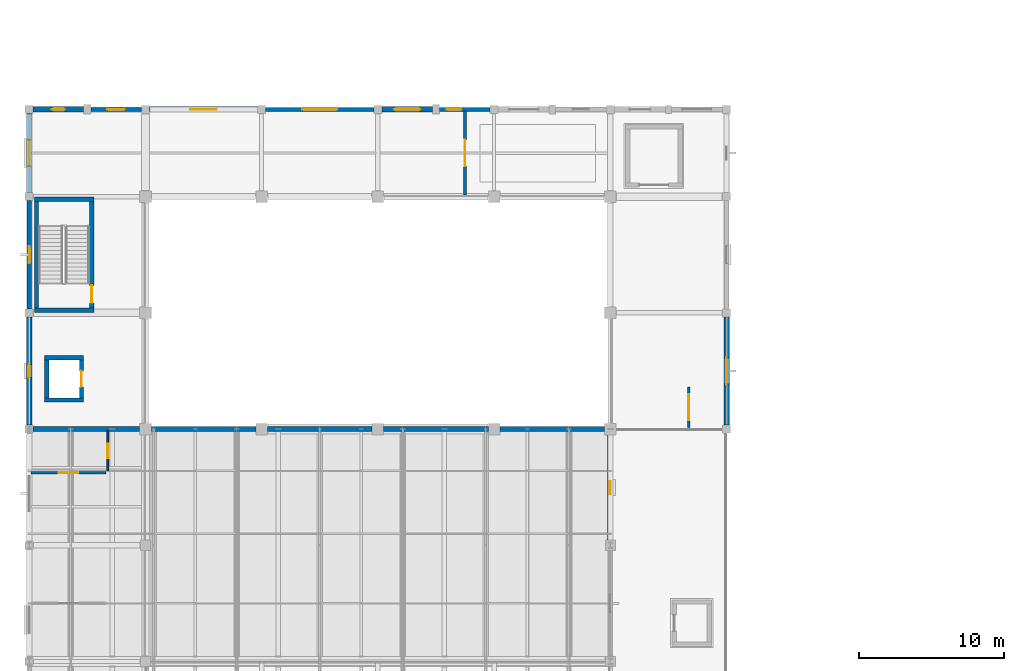
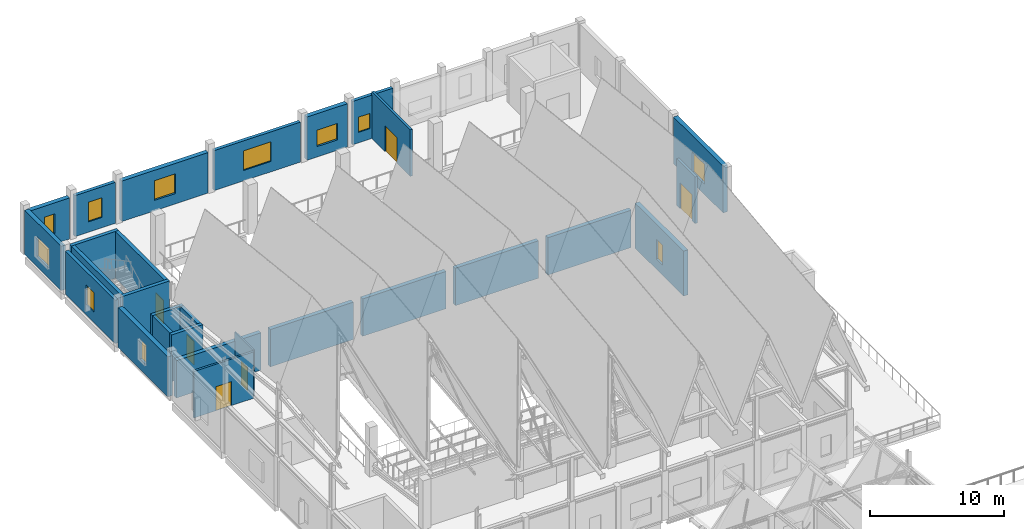
# One storey, part 43 of 77: 28 walls, 11 windows, 6 doors, 17 openings.
"""IFC4 building model written with IfcOpenShell, lengths in metres."""

from ifc_helpers import new_model, si_unit, direction, frame, frame_2d, origin, place, context, subcontext, project, spatial, rectangle, extrude, material, layer, layer_set, type_object, element, fill, save


model = new_model("IFC4")

# Units and contexts
model_context = context("Model", 3, precision=1e-05, world=origin(), true_north=direction((0.0, 1.0)))
body_context = subcontext(model_context, "Body", "Model", "MODEL_VIEW")
ifc_project = project(units=[si_unit("LENGTHUNIT", "METRE"), si_unit("AREAUNIT", "SQUARE_METRE"), si_unit("VOLUMEUNIT", "CUBIC_METRE"), si_unit("PLANEANGLEUNIT", "RADIAN"), si_unit("MASSUNIT", "GRAM", prefix="KILO")], contexts=[model_context])

# Site, building, storey
site_placement = place(None, origin())
site = spatial("IfcSite", under=ifc_project, at=site_placement, CompositionType="ELEMENT")
building_placement = place(site_placement, origin())
building = spatial("IfcBuilding", under=site, at=building_placement, Name="Luwemba Playhouse", CompositionType="ELEMENT")
storey_placement = place(building_placement, frame((0.0, 0.0, 9.300048828125)))
storey = spatial("IfcBuildingStorey", under=building, at=storey_placement, Name="L02", CompositionType="ELEMENT", Elevation=9.300048828125)

# Wall, opening, window
ifc_material_1 = material(Name="Clay facing brick obra vista masonry", Category="masonry")
ifc_layer_1 = layer(ifc_material_1, 0.3798828125)
ifc_layer_set_1 = layer_set([ifc_layer_1], Name="Clay facing brick obra vista masonry")
wall_type_1 = type_object("IfcWallType", Name="WAL-BRK-380", PredefinedType="SOLIDWALL", material=ifc_layer_set_1)
wall_1_placement = place(storey_placement, frame((44.0, 67.60009765625, 0.0), z_axis=(0.0, 0.0, 1.0), x_axis=(0.0, -1.0, 0.0)))
wall_1 = element("IfcWall", 1, at=wall_1_placement, inside=storey, type_object=wall_type_1, Name="L02 V1 exterior facade wall 0274", PredefinedType="SOLIDWALL", context=body_context, shape_type="SweptSolid", body=[
    extrude(rectangle(XDim=7.25, YDim=0.3798828125, at=frame_2d((3.625, 0.0))), origin(), (0.0, 0.0, 1.0), 4.119873046875),
])
opening_1_placement = place(wall_1_placement, frame((3.175048828125, 0.0, 0.949951171875)))
opening_1 = element("IfcOpeningElement", 2, at=opening_1_placement, cuts=wall_1, Name="Opening WN-18", PredefinedType="OPENING", context=body_context, shape_type="SweptSolid", body=[
    extrude(rectangle(XDim=0.89990234375, YDim=1.800048828125, at=frame_2d((0.449951171875, 0.89990234375))), frame((0.0, 0.199951171875, 0.0), z_axis=(0.0, -1.0, 0.0), x_axis=(1.0, 0.0, 0.0)), (0.0, 0.0, 1.0), 0.39990234375),
])
ifc_material_2 = material(Name="Solar-control double glazing in aluminium frame", Category="aluminium")
window_type_1 = type_object("IfcWindowType", Name="WIN-WN-18", PartitioningType="SINGLE_PANEL", PredefinedType="WINDOW", material=ifc_material_2)
window_1_placement = place(opening_1_placement, origin())
window_1 = element("IfcWindow", 3, at=window_1_placement, inside=storey, type_object=window_type_1, Name="L02 V1 scheduled window 0221", OverallHeight=1.800048828125, OverallWidth=0.89990234375, PartitioningType="SINGLE_PANEL", PredefinedType="WINDOW", context=body_context, shape_type="SweptSolid", body=[
    extrude(rectangle(XDim=0.89990234375, YDim=1.800048828125, at=frame_2d((0.449951171875, 0.89990234375))), frame((0.0, 0.030029296875, 0.0), z_axis=(0.0, -1.0, 0.0), x_axis=(1.0, 0.0, 0.0)), (0.0, 0.0, 1.0), 0.06005859375),
])
fill(opening_1, window_1)

wall_2_placement = place(storey_placement, frame((4.0, 68.27490234375, 0.0), z_axis=(0.0, 0.0, 1.0), x_axis=(0.0, 1.0, 0.0)))
wall_2 = element("IfcWall", 4, at=wall_2_placement, inside=storey, type_object=wall_type_1, Name="L02 V2 exterior facade wall 0287", PredefinedType="SOLIDWALL", context=body_context, shape_type="SweptSolid", body=[
    extrude(rectangle(XDim=7.4501953125, YDim=0.3798828125, at=frame_2d((3.72509765625, 0.0))), origin(), (0.0, 0.0, 1.0), 3.655029296875),
])
opening_2_placement = place(wall_2_placement, frame((3.27490234375, 0.0, 0.949951171875)))
opening_2 = element("IfcOpeningElement", 5, at=opening_2_placement, cuts=wall_2, Name="Opening WN-18", PredefinedType="OPENING", context=body_context, shape_type="SweptSolid", body=[
    extrude(rectangle(XDim=0.89990234375, YDim=1.800048828125, at=frame_2d((0.449951171875, 0.89990234375))), frame((0.0, 0.199951171875, 0.0), z_axis=(0.0, -1.0, 0.0), x_axis=(1.0, 0.0, 0.0)), (0.0, 0.0, 1.0), 0.39990234375),
])
window_2_placement = place(opening_2_placement, origin())
window_2 = element("IfcWindow", 6, at=window_2_placement, inside=storey, type_object=window_type_1, Name="L02 V2 scheduled window 0233", OverallHeight=1.800048828125, OverallWidth=0.89990234375, PartitioningType="SINGLE_PANEL", PredefinedType="WINDOW", context=body_context, shape_type="SweptSolid", body=[
    extrude(rectangle(XDim=0.89990234375, YDim=1.800048828125, at=frame_2d((0.449951171875, 0.89990234375))), frame((0.0, 0.030029296875, 0.0), z_axis=(0.0, -1.0, 0.0), x_axis=(1.0, 0.0, 0.0)), (0.0, 0.0, 1.0), 0.06005859375),
])
fill(opening_2, window_2)

wall_3_placement = place(storey_placement, frame((4.0, 84.27490234375, 0.0), z_axis=(0.0, 0.0, 1.0), x_axis=(0.0, 1.0, 0.0)))
wall_3 = element("IfcWall", 7, at=wall_3_placement, inside=storey, type_object=wall_type_1, Name="L02 V2 exterior facade wall 0289", PredefinedType="SOLIDWALL", context=body_context, shape_type="SweptSolid", body=[
    extrude(rectangle(XDim=5.4501953125, YDim=0.3798828125, at=frame_2d((2.72509765625, 0.0))), origin(), (0.0, 0.0, 1.0), 4.054931640625),
])
opening_3_placement = place(wall_3_placement, frame((1.824951171875, 0.0, 0.949951171875)))
opening_3 = element("IfcOpeningElement", 8, at=opening_3_placement, cuts=wall_3, Name="Opening WN-04", PredefinedType="OPENING", context=body_context, shape_type="SweptSolid", body=[
    extrude(rectangle(XDim=1.800048828125, YDim=1.800048828125, at=frame_2d((0.89990234375, 0.89990234375))), frame((0.0, 0.199951171875, 0.0), z_axis=(0.0, -1.0, 0.0), x_axis=(1.0, 0.0, 0.0)), (0.0, 0.0, 1.0), 0.39990234375),
])
window_type_2 = type_object("IfcWindowType", Name="WIN-WN-04", PartitioningType="DOUBLE_PANEL_VERTICAL", PredefinedType="WINDOW", material=ifc_material_2)
window_3_placement = place(opening_3_placement, origin())
window_3 = element("IfcWindow", 9, at=window_3_placement, inside=storey, type_object=window_type_2, Name="L02 V2 scheduled window 0235", OverallHeight=1.800048828125, OverallWidth=1.800048828125, PartitioningType="DOUBLE_PANEL_VERTICAL", PredefinedType="WINDOW", context=body_context, shape_type="SweptSolid", body=[
    extrude(rectangle(XDim=1.800048828125, YDim=1.800048828125, at=frame_2d((0.89990234375, 0.89990234375))), frame((0.0, 0.030029296875, 0.0), z_axis=(0.0, -1.0, 0.0), x_axis=(1.0, 0.0, 0.0)), (0.0, 0.0, 1.0), 0.06005859375),
])
fill(opening_3, window_3)

wall_4_placement = place(storey_placement, frame((4.27490234375, 90.0, 0.0), z_axis=(0.0, 0.0, 1.0), x_axis=(1.0, 0.0, 0.0)))
wall_4 = element("IfcWall", 10, at=wall_4_placement, inside=storey, type_object=wall_type_1, Name="L02 V2 exterior facade wall 0290", PredefinedType="SOLIDWALL", context=body_context, shape_type="SweptSolid", body=[
    extrude(rectangle(XDim=3.47509765625, YDim=0.3798828125, at=frame_2d((1.737548828125, 0.0))), origin(), (0.0, 0.0, 1.0), 3.7548828125),
])
opening_4_placement = place(wall_4_placement, frame((1.28759765625, 0.0, 0.949951171875)))
opening_4 = element("IfcOpeningElement", 11, at=opening_4_placement, cuts=wall_4, Name="Opening WN-18", PredefinedType="OPENING", context=body_context, shape_type="SweptSolid", body=[
    extrude(rectangle(XDim=0.89990234375, YDim=1.800048828125, at=frame_2d((0.449951171875, 0.89990234375))), frame((0.0, 0.199951171875, 0.0), z_axis=(0.0, -1.0, 0.0), x_axis=(1.0, 0.0, 0.0)), (0.0, 0.0, 1.0), 0.39990234375),
])
window_4_placement = place(opening_4_placement, origin())
window_4 = element("IfcWindow", 12, at=window_4_placement, inside=storey, type_object=window_type_1, Name="L02 V2 scheduled window 0236", OverallHeight=1.800048828125, OverallWidth=0.89990234375, PartitioningType="SINGLE_PANEL", PredefinedType="WINDOW", context=body_context, shape_type="SweptSolid", body=[
    extrude(rectangle(XDim=0.89990234375, YDim=1.800048828125, at=frame_2d((0.449951171875, 0.89990234375))), frame((0.0, 0.030029296875, 0.0), z_axis=(0.0, -1.0, 0.0), x_axis=(1.0, 0.0, 0.0)), (0.0, 0.0, 1.0), 0.06005859375),
])
fill(opening_4, window_4)

wall_5_placement = place(storey_placement, frame((12.27490234375, 90.0, 0.0), z_axis=(0.0, 0.0, 1.0), x_axis=(1.0, 0.0, 0.0)))
wall_5 = element("IfcWall", 13, at=wall_5_placement, inside=storey, type_object=wall_type_1, Name="L02 V2 exterior facade wall 0292", PredefinedType="SOLIDWALL", context=body_context, shape_type="SweptSolid", body=[
    extrude(rectangle(XDim=7.4501953125, YDim=0.3798828125, at=frame_2d((3.72509765625, 0.0))), origin(), (0.0, 0.0, 1.0), 3.704833984375),
])
opening_5_placement = place(wall_5_placement, frame((2.824951171875, 0.0, 0.949951171875)))
opening_5 = element("IfcOpeningElement", 14, at=opening_5_placement, cuts=wall_5, Name="Opening WN-04", PredefinedType="OPENING", context=body_context, shape_type="SweptSolid", body=[
    extrude(rectangle(XDim=1.800048828125, YDim=1.800048828125, at=frame_2d((0.89990234375, 0.89990234375))), frame((0.0, 0.199951171875, 0.0), z_axis=(0.0, -1.0, 0.0), x_axis=(1.0, 0.0, 0.0)), (0.0, 0.0, 1.0), 0.39990234375),
])
window_5_placement = place(opening_5_placement, origin())
window_5 = element("IfcWindow", 15, at=window_5_placement, inside=storey, type_object=window_type_2, Name="L02 V2 scheduled window 0238", OverallHeight=1.800048828125, OverallWidth=1.800048828125, PartitioningType="DOUBLE_PANEL_VERTICAL", PredefinedType="WINDOW", context=body_context, shape_type="SweptSolid", body=[
    extrude(rectangle(XDim=1.800048828125, YDim=1.800048828125, at=frame_2d((0.89990234375, 0.89990234375))), frame((0.0, 0.030029296875, 0.0), z_axis=(0.0, -1.0, 0.0), x_axis=(1.0, 0.0, 0.0)), (0.0, 0.0, 1.0), 0.06005859375),
])
fill(opening_5, window_5)

wall_6_placement = place(storey_placement, frame((28.27490234375, 90.0, 0.0), z_axis=(0.0, 0.0, 1.0), x_axis=(1.0, 0.0, 0.0)))
wall_6 = element("IfcWall", 16, at=wall_6_placement, inside=storey, type_object=wall_type_1, Name="L02 V2 exterior facade wall 0294", PredefinedType="SOLIDWALL", context=body_context, shape_type="SweptSolid", body=[
    extrude(rectangle(XDim=3.47509765625, YDim=0.3798828125, at=frame_2d((1.737548828125, 0.0))), origin(), (0.0, 0.0, 1.0), 3.954833984375),
])
opening_6_placement = place(wall_6_placement, frame((0.83740234375, 0.0, 0.949951171875)))
opening_6 = element("IfcOpeningElement", 17, at=opening_6_placement, cuts=wall_6, Name="Opening WN-10", PredefinedType="OPENING", context=body_context, shape_type="SweptSolid", body=[
    extrude(rectangle(XDim=1.800048828125, YDim=1.5, at=frame_2d((0.89990234375, 0.75))), frame((0.0, 0.199951171875, 0.0), z_axis=(0.0, -1.0, 0.0), x_axis=(1.0, 0.0, 0.0)), (0.0, 0.0, 1.0), 0.39990234375),
])
window_type_3 = type_object("IfcWindowType", Name="WIN-WN-10", PartitioningType="DOUBLE_PANEL_VERTICAL", PredefinedType="WINDOW", material=ifc_material_2)
window_6_placement = place(opening_6_placement, origin())
window_6 = element("IfcWindow", 18, at=window_6_placement, inside=storey, type_object=window_type_3, Name="L02 V2 scheduled window 0240", OverallHeight=1.5, OverallWidth=1.800048828125, PartitioningType="DOUBLE_PANEL_VERTICAL", PredefinedType="WINDOW", context=body_context, shape_type="SweptSolid", body=[
    extrude(rectangle(XDim=1.800048828125, YDim=1.5, at=frame_2d((0.89990234375, 0.75))), frame((0.0, 0.030029296875, 0.0), z_axis=(0.0, -1.0, 0.0), x_axis=(1.0, 0.0, 0.0)), (0.0, 0.0, 1.0), 0.06005859375),
])
fill(opening_6, window_6)

wall_7_placement = place(storey_placement, frame((52.0, 75.72509765625, 0.0), z_axis=(0.0, 0.0, 1.0), x_axis=(0.0, -1.0, 0.0)))
wall_7 = element("IfcWall", 19, at=wall_7_placement, inside=storey, type_object=wall_type_1, Name="L02 V2 exterior facade wall 0302", PredefinedType="SOLIDWALL", context=body_context, shape_type="SweptSolid", body=[
    extrude(rectangle(XDim=7.4501953125, YDim=0.3798828125, at=frame_2d((3.72509765625, 0.0))), origin(), (0.0, 0.0, 1.0), 4.27001953125),
])
opening_7_placement = place(wall_7_placement, frame((2.824951171875, 0.0, 0.949951171875)))
opening_7 = element("IfcOpeningElement", 20, at=opening_7_placement, cuts=wall_7, Name="Opening WN-04", PredefinedType="OPENING", context=body_context, shape_type="SweptSolid", body=[
    extrude(rectangle(XDim=1.800048828125, YDim=1.800048828125, at=frame_2d((0.89990234375, 0.89990234375))), frame((0.0, 0.199951171875, 0.0), z_axis=(0.0, -1.0, 0.0), x_axis=(1.0, 0.0, 0.0)), (0.0, 0.0, 1.0), 0.39990234375),
])
window_7_placement = place(opening_7_placement, origin())
window_7 = element("IfcWindow", 21, at=window_7_placement, inside=storey, type_object=window_type_2, Name="L02 V2 scheduled window 0248", OverallHeight=1.800048828125, OverallWidth=1.800048828125, PartitioningType="DOUBLE_PANEL_VERTICAL", PredefinedType="WINDOW", context=body_context, shape_type="SweptSolid", body=[
    extrude(rectangle(XDim=1.800048828125, YDim=1.800048828125, at=frame_2d((0.89990234375, 0.89990234375))), frame((0.0, 0.030029296875, 0.0), z_axis=(0.0, -1.0, 0.0), x_axis=(1.0, 0.0, 0.0)), (0.0, 0.0, 1.0), 0.06005859375),
])
fill(opening_7, window_7)

# Walls
ifc_material_3 = material(Name="Concrete C40/50", Category="concrete")
ifc_layer_2 = layer(ifc_material_3, 0.300048828125)
ifc_layer_set_2 = layer_set([ifc_layer_2], Name="Concrete C40/50")
wall_type_2 = type_object("IfcWallType", Name="WAL-CORE-300", PredefinedType="SHEAR", material=ifc_layer_set_2)
for number, where, z_axis, x_axis, name in (
    (22, (4.35009765625, 76.18994140625, 0.0), (0.0, 0.0, 1.0), (1.0, 0.0, 0.0), "L02 ST-03 stair core wall S"),
    (23, (8.449951171875, 83.81005859375, 0.0), (0.0, 0.0, 1.0), (-1.0, 0.0, 0.0), "L02 ST-03 stair core wall N"),
):
    element("IfcWall", number, at=place(storey_placement, frame(where, z_axis=z_axis, x_axis=x_axis)), inside=storey, type_object=wall_type_2, Name=name, PredefinedType="SHEAR", context=body_context, shape_type="SweptSolid", body=[
        extrude(rectangle(XDim=4.099853515625, YDim=0.300048828125, at=frame_2d((2.0498046875, 0.0))), origin(), (0.0, 0.0, 1.0), 4.27001953125),
    ])
wall_8_placement = place(storey_placement, frame((4.5, 76.340087890625, 0.0), z_axis=(0.0, 0.0, 1.0), x_axis=(0.0, 1.0, 0.0)))
element("IfcWall", 24, at=wall_8_placement, inside=storey, type_object=wall_type_2, Name="L02 ST-03 stair core wall W", PredefinedType="SHEAR", context=body_context, shape_type="SweptSolid", body=[
    extrude(rectangle(XDim=7.31982421875, YDim=0.300048828125, at=frame_2d((3.659912109375, 0.0))), origin(), (0.0, 0.0, 1.0), 4.27001953125),
])

# Wall, opening, door
wall_9_placement = place(storey_placement, frame((8.300048828125, 76.340087890625, 0.0), z_axis=(0.0, 0.0, 1.0), x_axis=(0.0, 1.0, 0.0)))
wall_9 = element("IfcWall", 25, at=wall_9_placement, inside=storey, type_object=wall_type_2, Name="L02 ST-03 stair core wall E", PredefinedType="SHEAR", context=body_context, shape_type="SweptSolid", body=[
    extrude(rectangle(XDim=7.31982421875, YDim=0.300048828125, at=frame_2d((3.659912109375, 0.0))), origin(), (0.0, 0.0, 1.0), 4.27001953125),
])
opening_8_placement = place(wall_9_placement, frame((0.35009765625, 0.0, 0.0)))
opening_8 = element("IfcOpeningElement", 26, at=opening_8_placement, cuts=wall_9, Name="Opening D-STAIR3", PredefinedType="OPENING", context=body_context, shape_type="SweptSolid", body=[
    extrude(rectangle(XDim=1.199951171875, YDim=2.14990234375, at=frame_2d((0.60009765625, 1.074951171875))), frame((0.0, 0.159912109375, 0.0), z_axis=(0.0, -1.0, 0.0), x_axis=(1.0, 0.0, 0.0)), (0.0, 0.0, 1.0), 0.320068359375),
])
ifc_material_4 = material(Name="Hardwood acoustic fire door leaf", Category="wood")
door_type_1 = type_object("IfcDoorType", Name="DR-STAIR-120", OperationType="NOTDEFINED", PredefinedType="DOOR", material=ifc_material_4)
door_1_placement = place(opening_8_placement, origin())
door_1 = element("IfcDoor", 27, at=door_1_placement, inside=storey, type_object=door_type_1, Name="L02 ST-03 protected stair entry door", OperationType="SINGLE_SWING_LEFT", OverallHeight=2.14990234375, OverallWidth=1.199951171875, PredefinedType="DOOR", context=body_context, shape_type="SweptSolid", body=[
    extrude(rectangle(XDim=1.199951171875, YDim=2.14990234375, at=frame_2d((0.60009765625, 1.074951171875))), frame((0.0, 0.02490234375, 0.0), z_axis=(0.0, -1.0, 0.0), x_axis=(1.0, 0.0, 0.0)), (0.0, 0.0, 1.0), 0.050048828125),
])
fill(opening_8, door_1)

# Walls
for number, where, z_axis, x_axis, name in (
    (28, (5.050048828125, 70.0, 0.0), (0.0, 0.0, 1.0), (1.0, 0.0, 0.0), "L02 Lift LF-P2 shaft wall S"),
    (29, (7.75, 72.89990234375, 0.0), (0.0, 0.0, 1.0), (-1.0, 0.0, 0.0), "L02 Lift LF-P2 shaft wall N"),
):
    element("IfcWall", number, at=place(storey_placement, frame(where, z_axis=z_axis, x_axis=x_axis)), inside=storey, type_object=wall_type_2, Name=name, PredefinedType="SHEAR", context=body_context, shape_type="SweptSolid", body=[
        extrude(rectangle(XDim=2.699951171875, YDim=0.300048828125, at=frame_2d((1.35009765625, 0.0))), origin(), (0.0, 0.0, 1.0), 4.27001953125),
    ])
wall_10_placement = place(storey_placement, frame((5.199951171875, 70.14990234375, 0.0), z_axis=(0.0, 0.0, 1.0), x_axis=(0.0, 1.0, 0.0)))
element("IfcWall", 30, at=wall_10_placement, inside=storey, type_object=wall_type_2, Name="L02 Lift LF-P2 shaft wall W", PredefinedType="SHEAR", context=body_context, shape_type="SweptSolid", body=[
    extrude(rectangle(XDim=2.60009765625, YDim=0.300048828125, at=frame_2d((1.300048828125, 0.0))), origin(), (0.0, 0.0, 1.0), 4.27001953125),
])

# Wall, opening, door
wall_11_placement = place(storey_placement, frame((7.60009765625, 72.75, 0.0), z_axis=(0.0, 0.0, 1.0), x_axis=(0.0, -1.0, 0.0)))
wall_11 = element("IfcWall", 31, at=wall_11_placement, inside=storey, type_object=wall_type_2, Name="L02 Lift LF-P2 shaft wall E", PredefinedType="SHEAR", context=body_context, shape_type="SweptSolid", body=[
    extrude(rectangle(XDim=2.60009765625, YDim=0.300048828125, at=frame_2d((1.300048828125, 0.0))), origin(), (0.0, 0.0, 1.0), 4.27001953125),
])
opening_9_placement = place(wall_11_placement, frame((0.75, 0.0, 0.0)))
opening_9 = element("IfcOpeningElement", 32, at=opening_9_placement, cuts=wall_11, Name="Opening LD-01", PredefinedType="OPENING", context=body_context, shape_type="SweptSolid", body=[
    extrude(rectangle(XDim=1.10009765625, YDim=2.14990234375, at=frame_2d((0.550048828125, 1.074951171875))), frame((0.0, 0.159912109375, 0.0), z_axis=(0.0, -1.0, 0.0), x_axis=(1.0, 0.0, 0.0)), (0.0, 0.0, 1.0), 0.320068359375),
])
ifc_material_5 = material(Name="Stainless steel lift landing doors", Category="steel")
door_type_2 = type_object("IfcDoorType", Name="DR-LIFT-110", OperationType="NOTDEFINED", PredefinedType="DOOR", material=ifc_material_5)
door_2_placement = place(opening_9_placement, origin())
door_2 = element("IfcDoor", 33, at=door_2_placement, inside=storey, type_object=door_type_2, Name="L02 Lift LF-P2 landing door", OperationType="DOUBLE_DOOR_SLIDING", OverallHeight=2.14990234375, OverallWidth=1.10009765625, PredefinedType="DOOR", context=body_context, shape_type="SweptSolid", body=[
    extrude(rectangle(XDim=1.10009765625, YDim=2.14990234375, at=frame_2d((0.550048828125, 1.074951171875))), frame((0.0, 0.02490234375, 0.0), z_axis=(0.0, -1.0, 0.0), x_axis=(1.0, 0.0, 0.0)), (0.0, 0.0, 1.0), 0.050048828125),
])
fill(opening_9, door_2)

ifc_material_6 = material(Name="Moisture-resistant sanitary partition", Category="gypsum")
ifc_layer_3 = layer(ifc_material_6, 0.1201171875)
ifc_layer_set_3 = layer_set([ifc_layer_3], Name="Moisture-resistant sanitary partition")
wall_type_3 = type_object("IfcWallType", Name="WAL-INT-120", PredefinedType="PARTITIONING", material=ifc_layer_set_3)
wall_12_placement = place(storey_placement, frame((9.39990234375, 65.1201171875, 0.0), z_axis=(0.0, 0.0, 1.0), x_axis=(0.0, 1.0, 0.0)))
wall_12 = element("IfcWall", 34, at=wall_12_placement, inside=storey, type_object=wall_type_3, Name="L02 V1 interior partition 0167", PredefinedType="PARTITIONING", context=body_context, shape_type="SweptSolid", body=[
    extrude(rectangle(XDim=2.759765625, YDim=0.1201171875, at=frame_2d((1.3798828125, 0.0))), origin(), (0.0, 0.0, 1.0), 4.25),
])
opening_10_placement = place(wall_12_placement, frame((0.8798828125, 0.0, 0.0)))
opening_10 = element("IfcOpeningElement", 35, at=opening_10_placement, cuts=wall_12, Name="Opening D-AWC", PredefinedType="OPENING", context=body_context, shape_type="SweptSolid", body=[
    extrude(rectangle(XDim=1.0, YDim=2.10009765625, at=frame_2d((0.5, 1.050048828125))), frame((0.0, 0.070068359375, 0.0), z_axis=(0.0, -1.0, 0.0), x_axis=(1.0, 0.0, 0.0)), (0.0, 0.0, 1.0), 0.14013671875),
])
ifc_material_7 = material(Name="Accessible WC outward-assisted timber door", Category="wood")
door_type_3 = type_object("IfcDoorType", Name="DR-AWC-100", OperationType="NOTDEFINED", PredefinedType="DOOR", material=ifc_material_7)
door_3_placement = place(opening_10_placement, origin())
door_3 = element("IfcDoor", 36, at=door_3_placement, inside=storey, type_object=door_type_3, Name="L02 Upper Circle Accessible WC to Upper Circle Public Toilets door", OperationType="SINGLE_SWING_RIGHT", OverallHeight=2.10009765625, OverallWidth=1.0, PredefinedType="DOOR", context=body_context, shape_type="SweptSolid", body=[
    extrude(rectangle(XDim=1.0, YDim=2.10009765625, at=frame_2d((0.5, 1.050048828125))), frame((0.0, 0.02490234375, 0.0), z_axis=(0.0, -1.0, 0.0), x_axis=(1.0, 0.0, 0.0)), (0.0, 0.0, 1.0), 0.050048828125),
])
fill(opening_10, door_3)

ifc_material_8 = material(Name="Double-stud acoustic gypsum partition", Category="gypsum")
ifc_layer_4 = layer(ifc_material_8, 0.179931640625)
ifc_layer_set_4 = layer_set([ifc_layer_4], Name="Double-stud acoustic gypsum partition")
wall_type_4 = type_object("IfcWallType", Name="WAL-INT-180", PredefinedType="PARTITIONING", material=ifc_layer_set_4)
wall_13_placement = place(storey_placement, frame((4.1201171875, 65.0, 0.0), z_axis=(0.0, 0.0, 1.0), x_axis=(1.0, 0.0, 0.0)))
wall_13 = element("IfcWall", 37, at=wall_13_placement, inside=storey, type_object=wall_type_4, Name="L02 V1 interior partition 0166", PredefinedType="PARTITIONING", context=body_context, shape_type="SweptSolid", body=[
    extrude(rectangle(XDim=5.159912109375, YDim=0.179931640625, at=frame_2d((2.580078125, 0.0))), origin(), (0.0, 0.0, 1.0), 4.25),
])
opening_11_placement = place(wall_13_placement, frame((1.905029296875, 0.0, 0.0)))
opening_11 = element("IfcOpeningElement", 38, at=opening_11_placement, cuts=wall_13, Name="Opening D-STU1", PredefinedType="OPENING", context=body_context, shape_type="SweptSolid", body=[
    extrude(rectangle(XDim=1.35009765625, YDim=2.199951171875, at=frame_2d((0.675048828125, 1.10009765625))), frame((0.0, 0.099853515625, 0.0), z_axis=(0.0, -1.0, 0.0), x_axis=(1.0, 0.0, 0.0)), (0.0, 0.0, 1.0), 0.199951171875),
])
ifc_material_9 = material(Name="Acoustic studio door", Category="wood")
door_type_4 = type_object("IfcDoorType", Name="DR-STU-135", OperationType="NOTDEFINED", PredefinedType="DOOR", material=ifc_material_9)
door_4_placement = place(opening_11_placement, origin())
door_4 = element("IfcDoor", 39, at=door_4_placement, inside=storey, type_object=door_type_4, Name="L02 Followspot and Projection Suite to Upper Circle Public Toilets door", OperationType="SINGLE_SWING_LEFT", OverallHeight=2.199951171875, OverallWidth=1.35009765625, PredefinedType="DOOR", context=body_context, shape_type="SweptSolid", body=[
    extrude(rectangle(XDim=1.35009765625, YDim=2.199951171875, at=frame_2d((0.675048828125, 1.10009765625))), frame((0.0, 0.02490234375, 0.0), z_axis=(0.0, -1.0, 0.0), x_axis=(1.0, 0.0, 0.0)), (0.0, 0.0, 1.0), 0.050048828125),
])
fill(opening_11, door_4)

ifc_material_10 = material(Name="Clay acoustic masonry blockwork", Category="masonry")
ifc_layer_5 = layer(ifc_material_10, 0.199951171875)
ifc_layer_set_5 = layer_set([ifc_layer_5], Name="Clay acoustic masonry blockwork")
wall_type_5 = type_object("IfcWallType", Name="WAL-INT-200", PredefinedType="PARTITIONING", material=ifc_layer_set_5)
wall_14_placement = place(storey_placement, frame((34.0, 84.1201171875, 0.0), z_axis=(0.0, 0.0, 1.0), x_axis=(0.0, 1.0, 0.0)))
wall_14 = element("IfcWall", 40, at=wall_14_placement, inside=storey, type_object=wall_type_5, Name="L02 V2 interior partition 0168", PredefinedType="PARTITIONING", context=body_context, shape_type="SweptSolid", body=[
    extrude(rectangle(XDim=5.759765625, YDim=0.199951171875, at=frame_2d((2.8798828125, 0.0))), origin(), (0.0, 0.0, 1.0), 4.27001953125),
])
opening_12_placement = place(wall_14_placement, frame((1.97998046875, 0.0, 0.0)))
opening_12 = element("IfcOpeningElement", 41, at=opening_12_placement, cuts=wall_14, Name="Opening D-AUD1", PredefinedType="OPENING", context=body_context, shape_type="SweptSolid", body=[
    extrude(rectangle(XDim=1.800048828125, YDim=2.35009765625, at=frame_2d((0.89990234375, 1.175048828125))), frame((0.0, 0.10986328125, 0.0), z_axis=(0.0, -1.0, 0.0), x_axis=(1.0, 0.0, 0.0)), (0.0, 0.0, 1.0), 0.219970703125),
])
ifc_material_11 = material(Name="Double acoustic timber theatre door", Category="wood")
door_type_5 = type_object("IfcDoorType", Name="DR-AUD-180", OperationType="NOTDEFINED", PredefinedType="DOOR", material=ifc_material_11)
door_5_placement = place(opening_12_placement, origin())
door_5 = element("IfcDoor", 42, at=door_5_placement, inside=storey, type_object=door_type_5, Name="L02 Rear Stage Lighting Bridge Gallery to Motor Hoist Control Room door", OperationType="DOUBLE_DOOR_SINGLE_SWING", OverallHeight=2.35009765625, OverallWidth=1.800048828125, PredefinedType="DOOR", context=body_context, shape_type="SweptSolid", body=[
    extrude(rectangle(XDim=1.800048828125, YDim=2.35009765625, at=frame_2d((0.89990234375, 1.175048828125))), frame((0.0, 0.02490234375, 0.0), z_axis=(0.0, -1.0, 0.0), x_axis=(1.0, 0.0, 0.0)), (0.0, 0.0, 1.0), 0.050048828125),
])
fill(opening_12, door_5)

wall_15_placement = place(storey_placement, frame((49.39990234375, 68.1201171875, 0.0), z_axis=(0.0, 0.0, 1.0), x_axis=(0.0, 1.0, 0.0)))
wall_15 = element("IfcWall", 43, at=wall_15_placement, inside=storey, type_object=wall_type_5, Name="L02 V2 interior partition 0169", PredefinedType="PARTITIONING", context=body_context, shape_type="SweptSolid", body=[
    extrude(rectangle(XDim=2.759765625, YDim=0.199951171875, at=frame_2d((1.3798828125, 0.0))), origin(), (0.0, 0.0, 1.0), 4.27001953125),
])
opening_13_placement = place(wall_15_placement, frame((0.47998046875, 0.0, 0.0)))
opening_13 = element("IfcOpeningElement", 44, at=opening_13_placement, cuts=wall_15, Name="Opening D-AUD1", PredefinedType="OPENING", context=body_context, shape_type="SweptSolid", body=[
    extrude(rectangle(XDim=1.800048828125, YDim=2.35009765625, at=frame_2d((0.89990234375, 1.175048828125))), frame((0.0, 0.10986328125, 0.0), z_axis=(0.0, -1.0, 0.0), x_axis=(1.0, 0.0, 0.0)), (0.0, 0.0, 1.0), 0.219970703125),
])
door_6_placement = place(opening_13_placement, origin())
door_6 = element("IfcDoor", 45, at=door_6_placement, inside=storey, type_object=door_type_5, Name="L02 Upper Stage Spotline Gallery to Upper Fly Accessible WC door", OperationType="DOUBLE_DOOR_SINGLE_SWING", OverallHeight=2.35009765625, OverallWidth=1.800048828125, PredefinedType="DOOR", context=body_context, shape_type="SweptSolid", body=[
    extrude(rectangle(XDim=1.800048828125, YDim=2.35009765625, at=frame_2d((0.89990234375, 1.175048828125))), frame((0.0, 0.02490234375, 0.0), z_axis=(0.0, -1.0, 0.0), x_axis=(1.0, 0.0, 0.0)), (0.0, 0.0, 1.0), 0.050048828125),
])
fill(opening_13, door_6)

# Walls
ifc_layer_6 = layer(ifc_material_3, 0.35009765625)
ifc_layer_set_6 = layer_set([ifc_layer_6], Name="Concrete C40/50")
wall_type_6 = type_object("IfcWallType", Name="WAL-PROS-350", PredefinedType="SHEAR", material=ifc_layer_set_6)
wall_16_placement = place(storey_placement, frame((4.27490234375, 68.0, 0.0), z_axis=(0.0, 0.0, 1.0), x_axis=(1.0, 0.0, 0.0)))
element("IfcWall", 46, at=wall_16_placement, inside=storey, type_object=wall_type_6, Name="L02 Proscenium fire wall 15", PredefinedType="SHEAR", context=body_context, shape_type="SweptSolid", body=[
    extrude(rectangle(XDim=7.3251953125, YDim=0.35009765625, at=frame_2d((3.66259765625, 0.0))), origin(), (0.0, 0.0, 1.0), 3.4150390625),
])
for number, where, z_axis, x_axis, name in (
    (47, (12.39990234375, 68.0, 0.0), (0.0, 0.0, 1.0), (1.0, 0.0, 0.0), "L02 Proscenium fire wall 16"),
    (48, (20.39990234375, 68.0, 0.0), (0.0, 0.0, 1.0), (1.0, 0.0, 0.0), "L02 Proscenium fire wall 17"),
    (49, (28.39990234375, 68.0, 0.0), (0.0, 0.0, 1.0), (1.0, 0.0, 0.0), "L02 Proscenium fire wall 18"),
    (50, (36.39990234375, 68.0, 0.0), (0.0, 0.0, 1.0), (1.0, 0.0, 0.0), "L02 Proscenium fire wall 19"),
):
    element("IfcWall", number, at=place(storey_placement, frame(where, z_axis=z_axis, x_axis=x_axis)), inside=storey, type_object=wall_type_6, Name=name, PredefinedType="SHEAR", context=body_context, shape_type="SweptSolid", body=[
        extrude(rectangle(XDim=7.2001953125, YDim=0.35009765625, at=frame_2d((3.60009765625, 0.0))), origin(), (0.0, 0.0, 1.0), 3.4150390625),
    ])

# Wall, opening, window
ifc_material_12 = material(Name="Structural timber GL24h infill", Category="wood")
ifc_layer_7 = layer(ifc_material_12, 0.280029296875)
ifc_layer_set_7 = layer_set([ifc_layer_7], Name="Structural timber GL24h infill")
wall_type_7 = type_object("IfcWallType", Name="WAL-TIM-280", PredefinedType="SOLIDWALL", material=ifc_layer_set_7)
wall_17_placement = place(storey_placement, frame((4.0, 76.27490234375, 0.0), z_axis=(0.0, 0.0, 1.0), x_axis=(0.0, 1.0, 0.0)))
wall_17 = element("IfcWall", 51, at=wall_17_placement, inside=storey, type_object=wall_type_7, Name="L02 V2 exterior facade wall 0288", PredefinedType="SOLIDWALL", context=body_context, shape_type="SweptSolid", body=[
    extrude(rectangle(XDim=7.4501953125, YDim=0.280029296875, at=frame_2d((3.72509765625, 0.0))), origin(), (0.0, 0.0, 1.0), 3.954833984375),
])
opening_14_placement = place(wall_17_placement, frame((3.125, 0.0, 0.949951171875)))
opening_14 = element("IfcOpeningElement", 52, at=opening_14_placement, cuts=wall_17, Name="Opening WN-01", PredefinedType="OPENING", context=body_context, shape_type="SweptSolid", body=[
    extrude(rectangle(XDim=1.199951171875, YDim=1.800048828125, at=frame_2d((0.60009765625, 0.89990234375))), frame((0.0, 0.14990234375, 0.0), z_axis=(0.0, -1.0, 0.0), x_axis=(1.0, 0.0, 0.0)), (0.0, 0.0, 1.0), 0.300048828125),
])
window_type_4 = type_object("IfcWindowType", Name="WIN-WN-01", PartitioningType="SINGLE_PANEL", PredefinedType="WINDOW", material=ifc_material_2)
window_8_placement = place(opening_14_placement, origin())
window_8 = element("IfcWindow", 53, at=window_8_placement, inside=storey, type_object=window_type_4, Name="L02 V2 scheduled window 0234", OverallHeight=1.800048828125, OverallWidth=1.199951171875, PartitioningType="SINGLE_PANEL", PredefinedType="WINDOW", context=body_context, shape_type="SweptSolid", body=[
    extrude(rectangle(XDim=1.199951171875, YDim=1.800048828125, at=frame_2d((0.60009765625, 0.89990234375))), frame((0.0, 0.030029296875, 0.0), z_axis=(0.0, -1.0, 0.0), x_axis=(1.0, 0.0, 0.0)), (0.0, 0.0, 1.0), 0.06005859375),
])
fill(opening_14, window_8)

wall_18_placement = place(storey_placement, frame((8.25, 90.0, 0.0), z_axis=(0.0, 0.0, 1.0), x_axis=(1.0, 0.0, 0.0)))
wall_18 = element("IfcWall", 54, at=wall_18_placement, inside=storey, type_object=wall_type_7, Name="L02 V2 exterior facade wall 0291", PredefinedType="SOLIDWALL", context=body_context, shape_type="SweptSolid", body=[
    extrude(rectangle(XDim=3.47509765625, YDim=0.280029296875, at=frame_2d((1.737548828125, 0.0))), origin(), (0.0, 0.0, 1.0), 3.7548828125),
])
opening_15_placement = place(wall_18_placement, frame((1.137451171875, 0.0, 0.949951171875)))
opening_15 = element("IfcOpeningElement", 55, at=opening_15_placement, cuts=wall_18, Name="Opening WN-01", PredefinedType="OPENING", context=body_context, shape_type="SweptSolid", body=[
    extrude(rectangle(XDim=1.199951171875, YDim=1.800048828125, at=frame_2d((0.60009765625, 0.89990234375))), frame((0.0, 0.14990234375, 0.0), z_axis=(0.0, -1.0, 0.0), x_axis=(1.0, 0.0, 0.0)), (0.0, 0.0, 1.0), 0.300048828125),
])
window_9_placement = place(opening_15_placement, origin())
window_9 = element("IfcWindow", 56, at=window_9_placement, inside=storey, type_object=window_type_4, Name="L02 V2 scheduled window 0237", OverallHeight=1.800048828125, OverallWidth=1.199951171875, PartitioningType="SINGLE_PANEL", PredefinedType="WINDOW", context=body_context, shape_type="SweptSolid", body=[
    extrude(rectangle(XDim=1.199951171875, YDim=1.800048828125, at=frame_2d((0.60009765625, 0.89990234375))), frame((0.0, 0.030029296875, 0.0), z_axis=(0.0, -1.0, 0.0), x_axis=(1.0, 0.0, 0.0)), (0.0, 0.0, 1.0), 0.06005859375),
])
fill(opening_15, window_9)

wall_19_placement = place(storey_placement, frame((20.27490234375, 90.0, 0.0), z_axis=(0.0, 0.0, 1.0), x_axis=(1.0, 0.0, 0.0)))
wall_19 = element("IfcWall", 57, at=wall_19_placement, inside=storey, type_object=wall_type_7, Name="L02 V2 exterior facade wall 0293", PredefinedType="SOLIDWALL", context=body_context, shape_type="SweptSolid", body=[
    extrude(rectangle(XDim=7.4501953125, YDim=0.280029296875, at=frame_2d((3.72509765625, 0.0))), origin(), (0.0, 0.0, 1.0), 3.655029296875),
])
opening_16_placement = place(wall_19_placement, frame((2.52490234375, 0.0, 0.949951171875)))
opening_16 = element("IfcOpeningElement", 58, at=opening_16_placement, cuts=wall_19, Name="Opening WN-07", PredefinedType="OPENING", context=body_context, shape_type="SweptSolid", body=[
    extrude(rectangle(XDim=2.39990234375, YDim=1.800048828125, at=frame_2d((1.199951171875, 0.89990234375))), frame((0.0, 0.14990234375, 0.0), z_axis=(0.0, -1.0, 0.0), x_axis=(1.0, 0.0, 0.0)), (0.0, 0.0, 1.0), 0.300048828125),
])
window_type_5 = type_object("IfcWindowType", Name="WIN-WN-07", PartitioningType="TRIPLE_PANEL_VERTICAL", PredefinedType="WINDOW", material=ifc_material_2)
window_10_placement = place(opening_16_placement, origin())
window_10 = element("IfcWindow", 59, at=window_10_placement, inside=storey, type_object=window_type_5, Name="L02 V2 scheduled window 0239", OverallHeight=1.800048828125, OverallWidth=2.39990234375, PartitioningType="TRIPLE_PANEL_VERTICAL", PredefinedType="WINDOW", context=body_context, shape_type="SweptSolid", body=[
    extrude(rectangle(XDim=2.39990234375, YDim=1.800048828125, at=frame_2d((1.199951171875, 0.89990234375))), frame((0.0, 0.030029296875, 0.0), z_axis=(0.0, -1.0, 0.0), x_axis=(1.0, 0.0, 0.0)), (0.0, 0.0, 1.0), 0.06005859375),
])
fill(opening_16, window_10)

wall_20_placement = place(storey_placement, frame((32.25, 90.0, 0.0), z_axis=(0.0, 0.0, 1.0), x_axis=(1.0, 0.0, 0.0)))
wall_20 = element("IfcWall", 60, at=wall_20_placement, inside=storey, type_object=wall_type_7, Name="L02 V2 exterior facade wall 0295", PredefinedType="SOLIDWALL", context=body_context, shape_type="SweptSolid", body=[
    extrude(rectangle(XDim=3.47509765625, YDim=0.280029296875, at=frame_2d((1.737548828125, 0.0))), origin(), (0.0, 0.0, 1.0), 3.954833984375),
])
opening_17_placement = place(wall_20_placement, frame((0.5, 0.0, 0.949951171875)))
opening_17 = element("IfcOpeningElement", 61, at=opening_17_placement, cuts=wall_20, Name="Opening WN-13", PredefinedType="OPENING", context=body_context, shape_type="SweptSolid", body=[
    extrude(rectangle(XDim=1.0, YDim=1.39990234375, at=frame_2d((0.5, 0.699951171875))), frame((0.0, 0.14990234375, 0.0), z_axis=(0.0, -1.0, 0.0), x_axis=(1.0, 0.0, 0.0)), (0.0, 0.0, 1.0), 0.300048828125),
])
window_type_6 = type_object("IfcWindowType", Name="WIN-WN-13", PartitioningType="SINGLE_PANEL", PredefinedType="WINDOW", material=ifc_material_2)
window_11_placement = place(opening_17_placement, origin())
window_11 = element("IfcWindow", 62, at=window_11_placement, inside=storey, type_object=window_type_6, Name="L02 V2 scheduled window 0241", OverallHeight=1.39990234375, OverallWidth=1.0, PartitioningType="SINGLE_PANEL", PredefinedType="WINDOW", context=body_context, shape_type="SweptSolid", body=[
    extrude(rectangle(XDim=1.0, YDim=1.39990234375, at=frame_2d((0.5, 0.699951171875))), frame((0.0, 0.030029296875, 0.0), z_axis=(0.0, -1.0, 0.0), x_axis=(1.0, 0.0, 0.0)), (0.0, 0.0, 1.0), 0.06005859375),
])
fill(opening_17, window_11)

save(model, "model.ifc")
